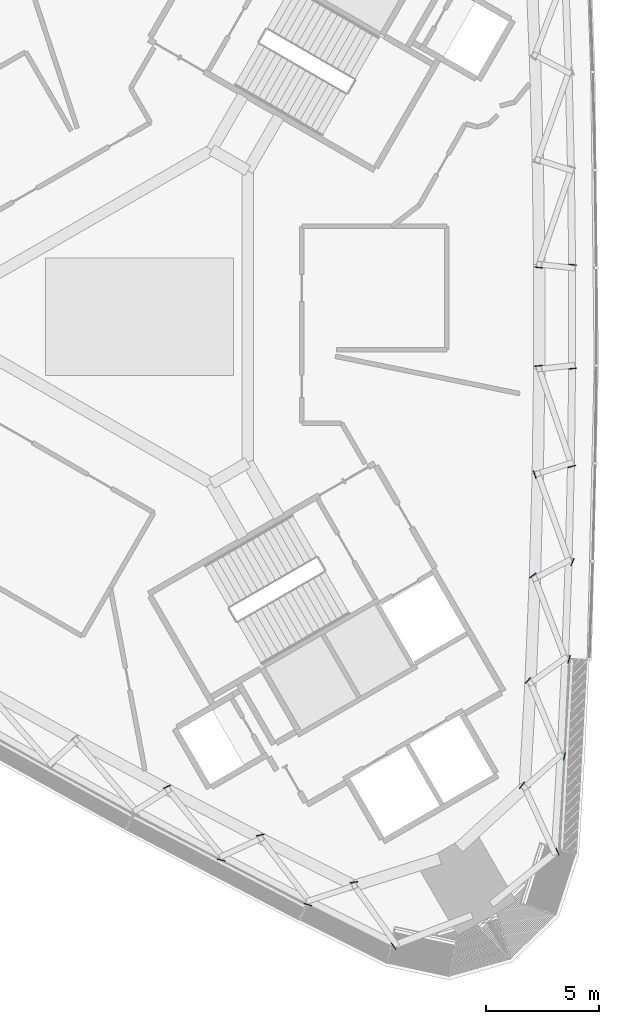
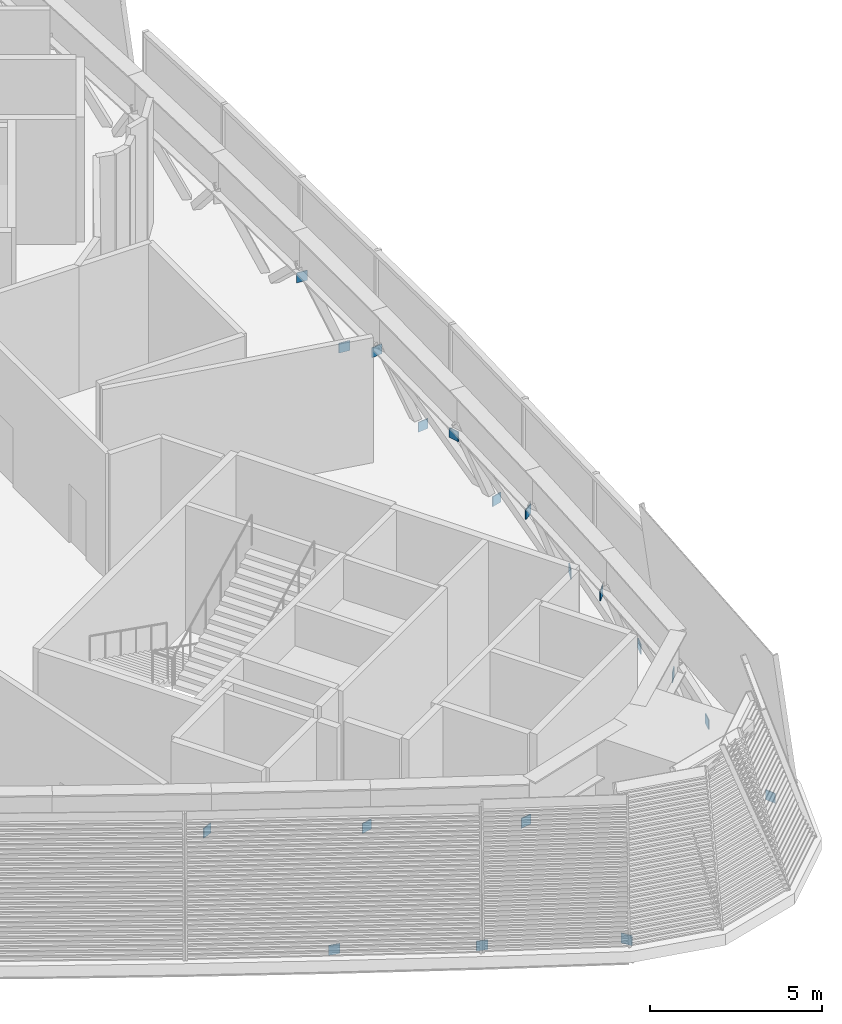
# One storey, part 7 of 18: 19 plates.
"""IFC4 building model written with IfcOpenShell, lengths in metres."""

from ifc_helpers import new_model, si_unit, direction, frame, origin, origin_2d, place, context, subcontext, project, spatial, rectangle, extrude, material, layer, layer_set, type_object, element, save


model = new_model("IFC4")

# Units and contexts
model_context = context("Model", 3, precision=1e-05, world=origin(), true_north=direction((0.0, 1.0)))
body_context = subcontext(model_context, "Body", "Model", "MODEL_VIEW")
ifc_project = project(units=[si_unit("LENGTHUNIT", "METRE"), si_unit("AREAUNIT", "SQUARE_METRE"), si_unit("VOLUMEUNIT", "CUBIC_METRE"), si_unit("PLANEANGLEUNIT", "RADIAN"), si_unit("MASSUNIT", "GRAM", prefix="KILO")], contexts=[model_context])

# Site, building, storey
site_placement = place(None, origin())
site = spatial("IfcSite", under=ifc_project, at=site_placement, CompositionType="ELEMENT")
building_placement = place(site_placement, origin())
building = spatial("IfcBuilding", under=site, at=building_placement, Name="Tamra Quay Hotel Tower", CompositionType="ELEMENT")
storey_placement = place(building_placement, frame((0.0, 0.0, 164.800048828125)))
storey = spatial("IfcBuildingStorey", under=building, at=storey_placement, Name="L41", CompositionType="ELEMENT", Elevation=164.800048828125)

# Plates
ifc_material = material(Name="Structural steel IS 2062 E350", Category="steel")
ifc_layer = layer(ifc_material, 0.030029296875)
ifc_layer_set = layer_set([ifc_layer], Name="BRACE END PLATE 30")
plate_type = type_object("IfcPlateType", Name="BRACE END PLATE 30", PredefinedType="SHEET", material=ifc_layer_set)
for number, where, z_axis, x_axis, name in (
    (1, (18.52392578125, -23.698974609375, -0.400146484375), (0.0, 0.0, 1.0), (0.909358129863, 0.416014172418, 0.0), "BEP-L41-001"),
    (2, (18.8291015625, -19.482421875, -0.400146484375), (0.0, 0.0, 1.0), (-0.974692960857, 0.223547829457, 0.0), "BEP-L41-002"),
    (3, (19.03466796875, -15.1767578125, -0.400146484375), (0.0, 0.0, 1.0), (-0.957475235101, 0.288515466081, 0.0), "BEP-L41-003"),
    (4, (19.186767578125, -10.87158203125, -0.400146484375), (0.0, 0.0, 1.0), (-0.931403102306, 0.36398936937, 0.0), "BEP-L41-004"),
    (5, (19.159912109375, -6.63330078125, -0.400146484375), (0.0, 0.0, 1.0), (-0.262645586877, 0.964892375187, 0.0), "BEP-L41-005"),
    (6, (19.185791015625, -2.30029296875, -0.400146484375), (0.0, 0.0, 1.0), (-0.107378161433, 0.994218250912, 0.0), "BEP-L41-006"),
    (7, (19.185791015625, 2.30029296875, -0.400146484375), (0.0, 0.0, 1.0), (0.107378161433, 0.994218250912, 0.0), "BEP-L41-007"),
    (8, (3.6259765625, -24.072998046875, -0.400146484375), (0.0, 0.0, 1.0), (0.228860603507, 0.973459205187, 0.0), "BEP-L41-034"),
    (9, (7.457763671875, -26.047607421875, -0.400146484375), (0.0, 0.0, 1.0), (0.29373336615, 0.955887393792, 0.0), "BEP-L41-035"),
    (10, (11.261962890625, -27.8916015625, -0.400146484375), (0.0, 0.0, 1.0), (0.81496802099, 0.579505931603, 0.0), "BEP-L41-036"),
    (11, (16.947998046875, -20.75830078125, 2.699951171875), (0.0, 0.0, 1.0), (-0.778877336374, 0.627176286926, 0.0), "BEP-L41-037"),
    (12, (17.209716796875, -16.116943359375, 2.699951171875), (0.0, 0.0, 1.0), (-0.731939065259, 0.681370093817, 0.0), "BEP-L41-038"),
    (13, (17.427490234375, -11.466796875, 2.699951171875), (0.0, 0.0, 1.0), (-0.591612221667, 0.80622266104, 0.0), "BEP-L41-039"),
    (14, (17.514404296875, -7.0009765625, 2.699951171875), (0.0, 0.0, 1.0), (0.947334432343, 0.320245957504, 0.0), "BEP-L41-040"),
    (15, (17.69677734375, -2.17919921875, 2.699951171875), (0.0, 0.0, 1.0), (-0.111685736079, 0.993743576762, 0.0), "BEP-L41-041"),
    (16, (17.69677734375, 2.17919921875, 2.699951171875), (0.0, 0.0, 1.0), (0.111685736079, 0.993743576762, 0.0), "BEP-L41-042"),
    (17, (1.216796875, -20.825927734375, 2.699951171875), (0.0, 0.0, 1.0), (-0.402404792516, 0.915461841346, 0.0), "BEP-L41-064"),
    (18, (5.352783203125, -22.962646484375, 2.699951171875), (0.0, 0.0, 1.0), (-0.224143193759, 0.974556221411, 0.0), "BEP-L41-065"),
    (19, (9.503173828125, -25.056396484375, 2.699951171875), (0.0, 0.0, 1.0), (-0.153713653529, 0.988115434916, 0.0), "BEP-L41-066"),
):
    element("IfcPlate", number, at=place(storey_placement, frame(where, z_axis=z_axis, x_axis=x_axis)), inside=storey, type_object=plate_type, Name=name, PredefinedType="SHEET", context=body_context, shape_type="SweptSolid", body=[
        extrude(rectangle(XDim=0.030029296875, YDim=0.35009765625, at=origin_2d()), origin(), (0.0, 0.0, 1.0), 0.35009765625),
    ])

save(model, "model.ifc")
